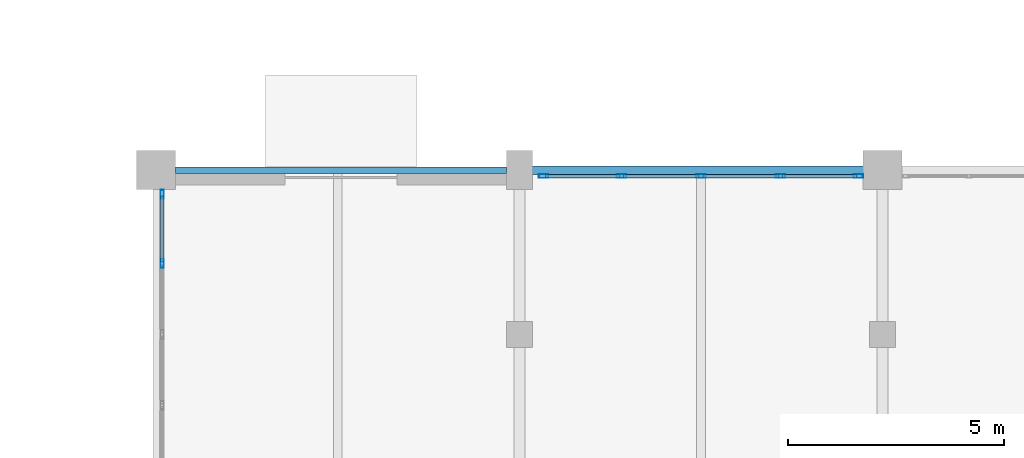
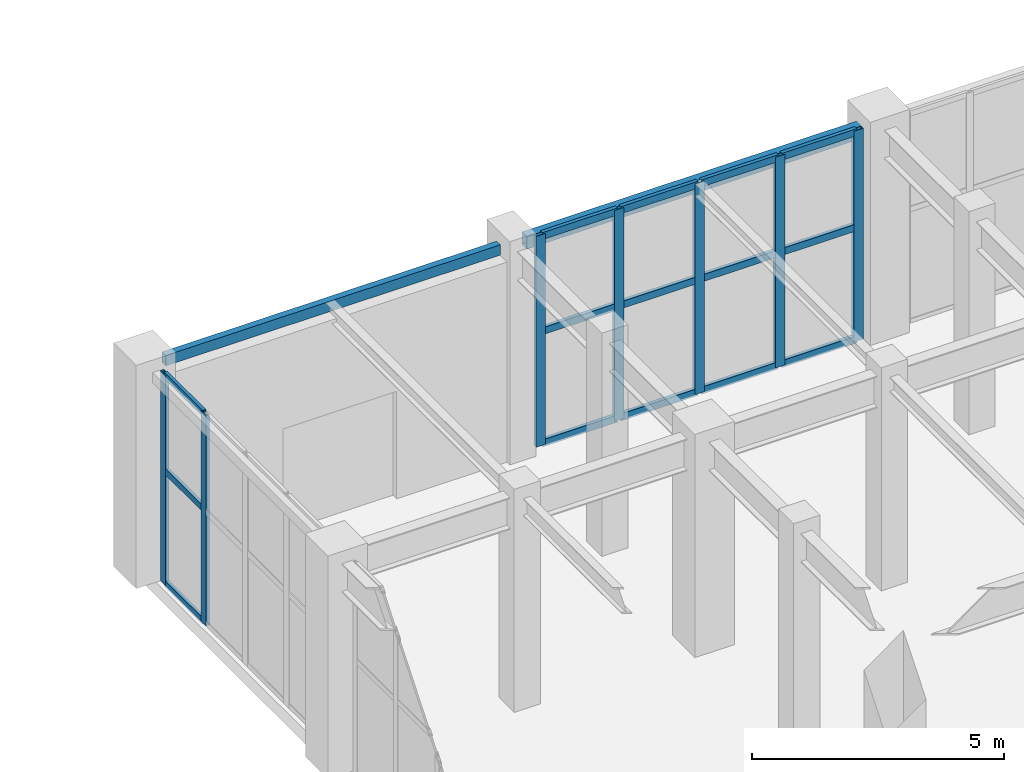
# One storey, part 58 of 139: 22 members, 2 beams, 2 elements without a shape of their own.
"""IFC4 building model written with IfcOpenShell, lengths in metres."""

from ifc_helpers import new_model, si_unit, direction, frame, origin, origin_2d, place, context, subcontext, project, spatial, hollow_rectangle, extrude, material, layer, layer_set, material_profile, profile_set, type_object, element, aggregate, save


model = new_model("IFC4")

# Units and contexts
model_context = context("Model", 3, precision=1e-05, world=origin(), true_north=direction((0.0, 1.0)))
body_context = subcontext(model_context, "Body", "Model", "MODEL_VIEW")
ifc_project = project(units=[si_unit("LENGTHUNIT", "METRE"), si_unit("AREAUNIT", "SQUARE_METRE"), si_unit("VOLUMEUNIT", "CUBIC_METRE"), si_unit("PLANEANGLEUNIT", "RADIAN"), si_unit("MASSUNIT", "GRAM", prefix="KILO")], contexts=[model_context])

# Site, building, storey
site_placement = place(None, origin())
site = spatial("IfcSite", under=ifc_project, at=site_placement, CompositionType="ELEMENT")
building_placement = place(site_placement, origin())
building = spatial("IfcBuilding", under=site, at=building_placement, Name="Xicomal Pleat Aquarium", CompositionType="ELEMENT")
storey_placement = place(building_placement, origin())
storey = spatial("IfcBuildingStorey", under=building, at=storey_placement, Name="L01", CompositionType="ELEMENT", Elevation=0.0)

# Beams
ifc_material_1 = material(Name="Structural steel A500 Gr C", Category="steel")
ifc_material_profile_1 = material_profile(ifc_material_1, hollow_rectangle(XDim=0.14990234375, YDim=0.25, WallThickness=0.010009765625, at=origin_2d()), Name="OR 250x150x10")
ifc_profile_set_1 = profile_set([ifc_material_profile_1], Name="Structural steel A500 Gr C")
beam_type_1 = type_object("IfcBeamType", Name="BM-STL-OR250", PredefinedType="SPANDREL", material=ifc_profile_set_1)
beam_1_placement = place(storey_placement, frame((44.2451171875, 83.60009765625, 4.97509765625), z_axis=(1.0, 0.0, 0.0), x_axis=(0.0, 1.0, 0.0)))
element("IfcBeam", 1, at=beam_1_placement, inside=storey, type_object=beam_type_1, Name="L01 framing beam FGX-L01-06-07-M", PredefinedType="SPANDREL", context=body_context, shape_type="SweptSolid", body=[
    extrude(hollow_rectangle(XDim=0.14990234375, YDim=0.25, WallThickness=0.010009765625, at=origin_2d()), origin(), (0.0, 0.0, 1.0), 7.659912109375),
])
ifc_material_2 = material(Name="Structural steel A500 Gr C", Category="steel")
ifc_material_profile_2 = material_profile(ifc_material_2, hollow_rectangle(XDim=0.199951171875, YDim=0.300048828125, WallThickness=0.011962890625, at=origin_2d()), Name="OR 300x200x12")
ifc_profile_set_2 = profile_set([ifc_material_profile_2], Name="Structural steel A500 Gr C")
beam_type_2 = type_object("IfcBeamType", Name="BM-STL-OR300", PredefinedType="SPANDREL", material=ifc_profile_set_2)
beam_2_placement = place(storey_placement, frame((52.4951171875, 83.60009765625, 4.949951171875), z_axis=(1.0, 0.0, 0.0), x_axis=(0.0, 1.0, 0.0)))
element("IfcBeam", 2, at=beam_2_placement, inside=storey, type_object=beam_type_2, Name="L01 framing beam FGX-L01-07-08-M", PredefinedType="SPANDREL", context=body_context, shape_type="SweptSolid", body=[
    extrude(hollow_rectangle(XDim=0.199951171875, YDim=0.300048828125, WallThickness=0.011962890625, at=origin_2d()), origin(), (0.0, 0.0, 1.0), 7.659912109375),
])

# Curtain wall, members
ifc_material_3 = material(Name="Bronze anodized aluminium 6063-T6", Category="aluminium")
ifc_layer_1 = layer(ifc_material_3, 0.159912109375)
ifc_layer_set_1 = layer_set([ifc_layer_1], Name="Bronze anodized aluminium 6063-T6")
curtain_wall_type_1 = type_object("IfcCurtainWallType", Name="CW-SYS-06", PredefinedType="NOTDEFINED", material=ifc_layer_set_1)
curtain_wall_1_placement = place(storey_placement, origin())
curtain_wall_1 = element("IfcCurtainWall", 3, at=curtain_wall_1_placement, inside=storey, type_object=curtain_wall_type_1, Name="L01 unitised curtain wall CW-L01-034", PredefinedType="NOTDEFINED")
ifc_material_4 = material(Name="Bronze anodized aluminium 6063-T6", Category="aluminium")
ifc_material_profile_3 = material_profile(ifc_material_4, hollow_rectangle(XDim=0.074951171875, YDim=0.199951171875, WallThickness=0.00439453125, at=origin_2d()), Name="ALU MULL 75x200")
ifc_profile_set_3 = profile_set([ifc_material_profile_3], Name="Bronze anodized aluminium 6063-T6")
member_type_1 = type_object("IfcMemberType", Name="CWM-75x200", PredefinedType="MULLION", material=ifc_profile_set_3)
member_1_placement = place(storey_placement, frame((43.93994140625, 81.43994140625, 0.0), z_axis=(0.0, 0.0, 1.0), x_axis=(-1.0, 0.0, 0.0)))
member_1 = element("IfcMember", 4, at=member_1_placement, type_object=member_type_1, Name="CW-06 mullion 4", PredefinedType="MULLION", context=body_context, shape_type="SweptSolid", body=[
    extrude(hollow_rectangle(XDim=0.074951171875, YDim=0.199951171875, WallThickness=0.00439453125, at=origin_2d()), origin(), (0.0, 0.0, 1.0), 5.10009765625),
])
member_2_placement = place(storey_placement, frame((43.93994140625, 83.04248046875, 0.0), z_axis=(0.0, 0.0, 1.0), x_axis=(-1.0, 0.0, 0.0)))
member_2 = element("IfcMember", 5, at=member_2_placement, type_object=member_type_1, Name="CW-06 mullion 5", PredefinedType="MULLION", context=body_context, shape_type="SweptSolid", body=[
    extrude(hollow_rectangle(XDim=0.074951171875, YDim=0.199951171875, WallThickness=0.00439453125, at=origin_2d()), origin(), (0.0, 0.0, 1.0), 5.10009765625),
])

ifc_material_5 = material(Name="Bronze anodized aluminium 6063-T6", Category="aluminium")
ifc_layer_2 = layer(ifc_material_5, 0.159912109375)
ifc_layer_set_2 = layer_set([ifc_layer_2], Name="Bronze anodized aluminium 6063-T6")
curtain_wall_type_2 = type_object("IfcCurtainWallType", Name="CW-SYS-11", PredefinedType="NOTDEFINED", material=ifc_layer_set_2)
curtain_wall_2_placement = place(storey_placement, origin())
curtain_wall_2 = element("IfcCurtainWall", 6, at=curtain_wall_2_placement, inside=storey, type_object=curtain_wall_type_2, Name="L01 unitised curtain wall CW-L01-035", PredefinedType="NOTDEFINED")
ifc_material_6 = material(Name="Bronze anodized aluminium 6063-T6", Category="aluminium")
ifc_material_profile_4 = material_profile(ifc_material_6, hollow_rectangle(XDim=0.0849609375, YDim=0.219970703125, WallThickness=0.0048828125, at=origin_2d()), Name="ALU MULL 85x220")
ifc_profile_set_4 = profile_set([ifc_material_profile_4], Name="Bronze anodized aluminium 6063-T6")
member_type_2 = type_object("IfcMemberType", Name="CWM-85x220", PredefinedType="MULLION", material=ifc_profile_set_4)
member_3_placement = place(storey_placement, frame((52.762451171875, 83.4599609375, 0.0), z_axis=(0.0, 0.0, 1.0), x_axis=(0.0, 1.0, 0.0)))
member_3 = element("IfcMember", 7, at=member_3_placement, type_object=member_type_2, Name="CW-11 mullion 1", PredefinedType="MULLION", context=body_context, shape_type="SweptSolid", body=[
    extrude(hollow_rectangle(XDim=0.0849609375, YDim=0.219970703125, WallThickness=0.0048828125, at=origin_2d()), origin(), (0.0, 0.0, 1.0), 5.10009765625),
])
member_4_placement = place(storey_placement, frame((54.56005859375, 83.4599609375, 0.0), z_axis=(0.0, 0.0, 1.0), x_axis=(0.0, 1.0, 0.0)))
member_4 = element("IfcMember", 8, at=member_4_placement, type_object=member_type_2, Name="CW-11 mullion 2", PredefinedType="MULLION", context=body_context, shape_type="SweptSolid", body=[
    extrude(hollow_rectangle(XDim=0.0849609375, YDim=0.219970703125, WallThickness=0.0048828125, at=origin_2d()), origin(), (0.0, 0.0, 1.0), 5.10009765625),
])
member_5_placement = place(storey_placement, frame((56.39990234375, 83.4599609375, 0.0), z_axis=(0.0, 0.0, 1.0), x_axis=(0.0, 1.0, 0.0)))
member_5 = element("IfcMember", 9, at=member_5_placement, type_object=member_type_2, Name="CW-11 mullion 3", PredefinedType="MULLION", context=body_context, shape_type="SweptSolid", body=[
    extrude(hollow_rectangle(XDim=0.0849609375, YDim=0.219970703125, WallThickness=0.0048828125, at=origin_2d()), origin(), (0.0, 0.0, 1.0), 5.10009765625),
])
member_6_placement = place(storey_placement, frame((58.239990234375, 83.4599609375, 0.0), z_axis=(0.0, 0.0, 1.0), x_axis=(0.0, 1.0, 0.0)))
member_6 = element("IfcMember", 10, at=member_6_placement, type_object=member_type_2, Name="CW-11 mullion 4", PredefinedType="MULLION", context=body_context, shape_type="SweptSolid", body=[
    extrude(hollow_rectangle(XDim=0.0849609375, YDim=0.219970703125, WallThickness=0.0048828125, at=origin_2d()), origin(), (0.0, 0.0, 1.0), 5.10009765625),
])
member_7_placement = place(storey_placement, frame((60.03759765625, 83.4599609375, 0.0), z_axis=(0.0, 0.0, 1.0), x_axis=(0.0, 1.0, 0.0)))
member_7 = element("IfcMember", 11, at=member_7_placement, type_object=member_type_2, Name="CW-11 mullion 5", PredefinedType="MULLION", context=body_context, shape_type="SweptSolid", body=[
    extrude(hollow_rectangle(XDim=0.0849609375, YDim=0.219970703125, WallThickness=0.0048828125, at=origin_2d()), origin(), (0.0, 0.0, 1.0), 5.10009765625),
])

# Member
ifc_material_7 = material(Name="Bronze anodized aluminium 6063-T6", Category="aluminium")
ifc_material_profile_5 = material_profile(ifc_material_7, hollow_rectangle(XDim=0.074951171875, YDim=0.14990234375, WallThickness=0.00439453125, at=origin_2d()), Name="ALU TRAN 75x150")
ifc_profile_set_5 = profile_set([ifc_material_profile_5], Name="Bronze anodized aluminium 6063-T6")
member_type_3 = type_object("IfcMemberType", Name="CWT-75x150", PredefinedType="USERDEFINED", material=ifc_profile_set_5)
member_8_placement = place(storey_placement, frame((43.93994140625, 81.4775390625, 0.03759765625), z_axis=(0.0, 1.0, 0.0), x_axis=(-1.0, 0.0, 0.0)))
member_8 = element("IfcMember", 12, at=member_8_placement, type_object=member_type_3, Name="CW-06 transom 4.1", ObjectType="TRANSOM", PredefinedType="USERDEFINED", context=body_context, shape_type="SweptSolid", body=[
    extrude(hollow_rectangle(XDim=0.074951171875, YDim=0.14990234375, WallThickness=0.00439453125, at=origin_2d()), origin(), (0.0, 0.0, 1.0), 1.52734375),
])

member_9_placement = place(storey_placement, frame((43.93994140625, 81.4775390625, 2.75390625), z_axis=(0.0, 1.0, 0.0), x_axis=(-1.0, 0.0, 0.0)))
member_9 = element("IfcMember", 13, at=member_9_placement, type_object=member_type_3, Name="CW-06 transom 4.2", ObjectType="TRANSOM", PredefinedType="USERDEFINED", context=body_context, shape_type="SweptSolid", body=[
    extrude(hollow_rectangle(XDim=0.074951171875, YDim=0.14990234375, WallThickness=0.00439453125, at=origin_2d()), origin(), (0.0, 0.0, 1.0), 1.52734375),
])

member_10_placement = place(storey_placement, frame((43.93994140625, 81.4775390625, 5.0625), z_axis=(0.0, 1.0, 0.0), x_axis=(-1.0, 0.0, 0.0)))
member_10 = element("IfcMember", 14, at=member_10_placement, type_object=member_type_3, Name="CW-06 transom 4.3", ObjectType="TRANSOM", PredefinedType="USERDEFINED", context=body_context, shape_type="SweptSolid", body=[
    extrude(hollow_rectangle(XDim=0.074951171875, YDim=0.14990234375, WallThickness=0.00439453125, at=origin_2d()), origin(), (0.0, 0.0, 1.0), 1.52734375),
])

aggregate(curtain_wall_1, [member_1, member_2, member_8, member_9, member_10])

ifc_material_8 = material(Name="Bronze anodized aluminium 6063-T6", Category="aluminium")
ifc_material_profile_6 = material_profile(ifc_material_8, hollow_rectangle(XDim=0.0849609375, YDim=0.169921875, WallThickness=0.0048828125, at=origin_2d()), Name="ALU TRAN 85x170")
ifc_profile_set_6 = profile_set([ifc_material_profile_6], Name="Bronze anodized aluminium 6063-T6")
member_type_4 = type_object("IfcMemberType", Name="CWT-85x170", PredefinedType="USERDEFINED", material=ifc_profile_set_6)
member_11_placement = place(storey_placement, frame((52.804931640625, 83.4599609375, 0.04248046875), z_axis=(1.0, 0.0, 0.0), x_axis=(0.0, 1.0, 0.0)))
member_11 = element("IfcMember", 15, at=member_11_placement, type_object=member_type_4, Name="CW-11 transom 1.1", ObjectType="TRANSOM", PredefinedType="USERDEFINED", context=body_context, shape_type="SweptSolid", body=[
    extrude(hollow_rectangle(XDim=0.0849609375, YDim=0.169921875, WallThickness=0.0048828125, at=origin_2d()), origin(), (0.0, 0.0, 1.0), 1.712646484375),
])

member_12_placement = place(storey_placement, frame((52.804931640625, 83.4599609375, 2.75390625), z_axis=(1.0, 0.0, 0.0), x_axis=(0.0, 1.0, 0.0)))
member_12 = element("IfcMember", 16, at=member_12_placement, type_object=member_type_4, Name="CW-11 transom 1.2", ObjectType="TRANSOM", PredefinedType="USERDEFINED", context=body_context, shape_type="SweptSolid", body=[
    extrude(hollow_rectangle(XDim=0.0849609375, YDim=0.169921875, WallThickness=0.0048828125, at=origin_2d()), origin(), (0.0, 0.0, 1.0), 1.712646484375),
])

member_13_placement = place(storey_placement, frame((52.804931640625, 83.4599609375, 5.0576171875), z_axis=(1.0, 0.0, 0.0), x_axis=(0.0, 1.0, 0.0)))
member_13 = element("IfcMember", 17, at=member_13_placement, type_object=member_type_4, Name="CW-11 transom 1.3", ObjectType="TRANSOM", PredefinedType="USERDEFINED", context=body_context, shape_type="SweptSolid", body=[
    extrude(hollow_rectangle(XDim=0.0849609375, YDim=0.169921875, WallThickness=0.0048828125, at=origin_2d()), origin(), (0.0, 0.0, 1.0), 1.712646484375),
])

member_14_placement = place(storey_placement, frame((54.6025390625, 83.4599609375, 0.04248046875), z_axis=(1.0, 0.0, 0.0), x_axis=(0.0, 1.0, 0.0)))
member_14 = element("IfcMember", 18, at=member_14_placement, type_object=member_type_4, Name="CW-11 transom 2.1", ObjectType="TRANSOM", PredefinedType="USERDEFINED", context=body_context, shape_type="SweptSolid", body=[
    extrude(hollow_rectangle(XDim=0.0849609375, YDim=0.169921875, WallThickness=0.0048828125, at=origin_2d()), origin(), (0.0, 0.0, 1.0), 1.7548828125),
])

member_15_placement = place(storey_placement, frame((54.6025390625, 83.4599609375, 2.75390625), z_axis=(1.0, 0.0, 0.0), x_axis=(0.0, 1.0, 0.0)))
member_15 = element("IfcMember", 19, at=member_15_placement, type_object=member_type_4, Name="CW-11 transom 2.2", ObjectType="TRANSOM", PredefinedType="USERDEFINED", context=body_context, shape_type="SweptSolid", body=[
    extrude(hollow_rectangle(XDim=0.0849609375, YDim=0.169921875, WallThickness=0.0048828125, at=origin_2d()), origin(), (0.0, 0.0, 1.0), 1.7548828125),
])

member_16_placement = place(storey_placement, frame((54.6025390625, 83.4599609375, 5.0576171875), z_axis=(1.0, 0.0, 0.0), x_axis=(0.0, 1.0, 0.0)))
member_16 = element("IfcMember", 20, at=member_16_placement, type_object=member_type_4, Name="CW-11 transom 2.3", ObjectType="TRANSOM", PredefinedType="USERDEFINED", context=body_context, shape_type="SweptSolid", body=[
    extrude(hollow_rectangle(XDim=0.0849609375, YDim=0.169921875, WallThickness=0.0048828125, at=origin_2d()), origin(), (0.0, 0.0, 1.0), 1.7548828125),
])

member_17_placement = place(storey_placement, frame((56.4423828125, 83.4599609375, 0.04248046875), z_axis=(1.0, 0.0, 0.0), x_axis=(0.0, 1.0, 0.0)))
member_17 = element("IfcMember", 21, at=member_17_placement, type_object=member_type_4, Name="CW-11 transom 3.1", ObjectType="TRANSOM", PredefinedType="USERDEFINED", context=body_context, shape_type="SweptSolid", body=[
    extrude(hollow_rectangle(XDim=0.0849609375, YDim=0.169921875, WallThickness=0.0048828125, at=origin_2d()), origin(), (0.0, 0.0, 1.0), 1.755126953125),
])

member_18_placement = place(storey_placement, frame((56.4423828125, 83.4599609375, 2.75390625), z_axis=(1.0, 0.0, 0.0), x_axis=(0.0, 1.0, 0.0)))
member_18 = element("IfcMember", 22, at=member_18_placement, type_object=member_type_4, Name="CW-11 transom 3.2", ObjectType="TRANSOM", PredefinedType="USERDEFINED", context=body_context, shape_type="SweptSolid", body=[
    extrude(hollow_rectangle(XDim=0.0849609375, YDim=0.169921875, WallThickness=0.0048828125, at=origin_2d()), origin(), (0.0, 0.0, 1.0), 1.755126953125),
])

member_19_placement = place(storey_placement, frame((56.4423828125, 83.4599609375, 5.0576171875), z_axis=(1.0, 0.0, 0.0), x_axis=(0.0, 1.0, 0.0)))
member_19 = element("IfcMember", 23, at=member_19_placement, type_object=member_type_4, Name="CW-11 transom 3.3", ObjectType="TRANSOM", PredefinedType="USERDEFINED", context=body_context, shape_type="SweptSolid", body=[
    extrude(hollow_rectangle(XDim=0.0849609375, YDim=0.169921875, WallThickness=0.0048828125, at=origin_2d()), origin(), (0.0, 0.0, 1.0), 1.755126953125),
])

member_20_placement = place(storey_placement, frame((58.282470703125, 83.4599609375, 0.04248046875), z_axis=(1.0, 0.0, 0.0), x_axis=(0.0, 1.0, 0.0)))
member_20 = element("IfcMember", 24, at=member_20_placement, type_object=member_type_4, Name="CW-11 transom 4.1", ObjectType="TRANSOM", PredefinedType="USERDEFINED", context=body_context, shape_type="SweptSolid", body=[
    extrude(hollow_rectangle(XDim=0.0849609375, YDim=0.169921875, WallThickness=0.0048828125, at=origin_2d()), origin(), (0.0, 0.0, 1.0), 1.712646484375),
])

member_21_placement = place(storey_placement, frame((58.282470703125, 83.4599609375, 2.75390625), z_axis=(1.0, 0.0, 0.0), x_axis=(0.0, 1.0, 0.0)))
member_21 = element("IfcMember", 25, at=member_21_placement, type_object=member_type_4, Name="CW-11 transom 4.2", ObjectType="TRANSOM", PredefinedType="USERDEFINED", context=body_context, shape_type="SweptSolid", body=[
    extrude(hollow_rectangle(XDim=0.0849609375, YDim=0.169921875, WallThickness=0.0048828125, at=origin_2d()), origin(), (0.0, 0.0, 1.0), 1.712646484375),
])

member_22_placement = place(storey_placement, frame((58.282470703125, 83.4599609375, 5.0576171875), z_axis=(1.0, 0.0, 0.0), x_axis=(0.0, 1.0, 0.0)))
member_22 = element("IfcMember", 26, at=member_22_placement, type_object=member_type_4, Name="CW-11 transom 4.3", ObjectType="TRANSOM", PredefinedType="USERDEFINED", context=body_context, shape_type="SweptSolid", body=[
    extrude(hollow_rectangle(XDim=0.0849609375, YDim=0.169921875, WallThickness=0.0048828125, at=origin_2d()), origin(), (0.0, 0.0, 1.0), 1.712646484375),
])

aggregate(curtain_wall_2, [member_3, member_4, member_5, member_6, member_7, member_11, member_12, member_13, member_14, member_15, member_16, member_17, member_18, member_19, member_20, member_21, member_22])

save(model, "model.ifc")
